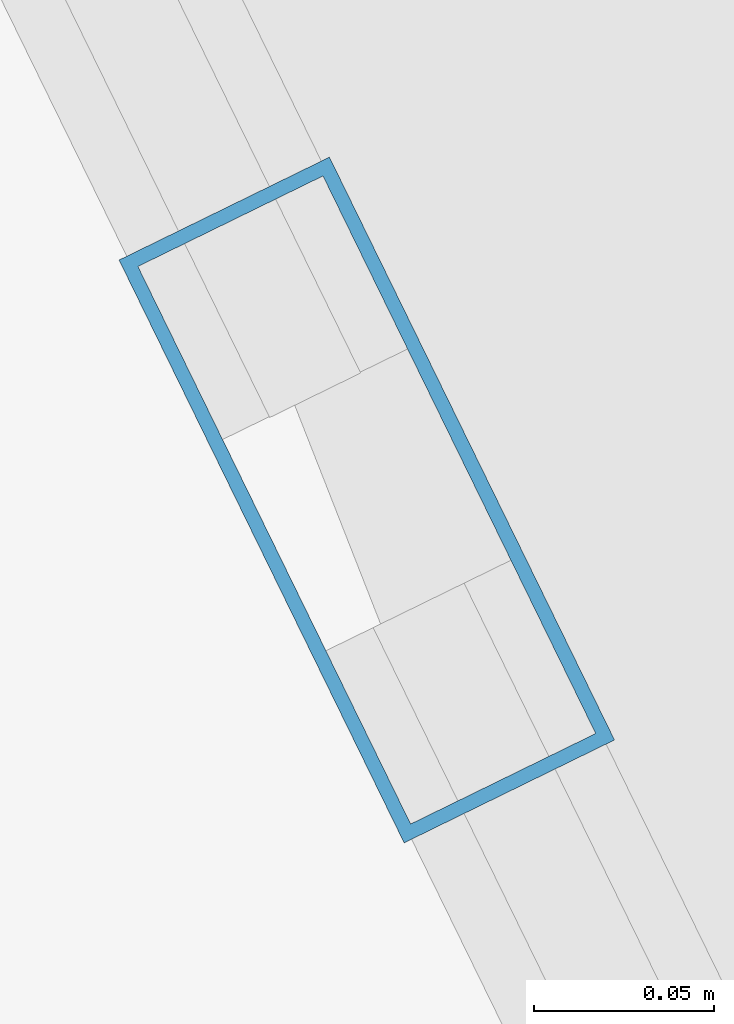
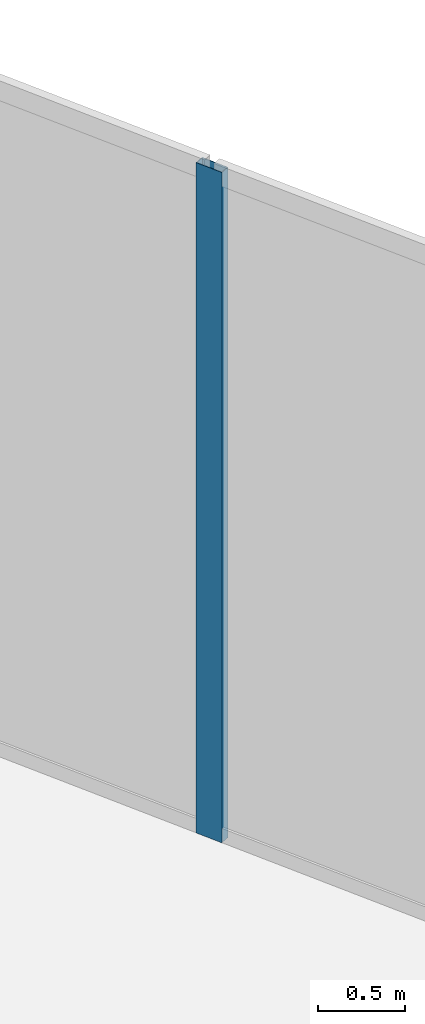
# One storey, part 16 of 33: 1 member, 1 element without a shape of its own.
"""IFC4 building model written with IfcOpenShell, lengths in metres."""

import ifcopenshell
import ifcopenshell.guid

model = None  # the IFC model being written
_history = None  # IfcOwnerHistory: only IFC2X3 demands one
_inside = {}  # id of a spatial element -> (the spatial element, [elements in it])
_under = {}  # id of a project, library or spatial element -> (it, [spatial elements below it])
_declared = {}  # id of a project -> (the project, [libraries it declares])
_typed = {}  # id of a type object -> (the type object, [elements of that type])
_made_of = {}  # id of a material, layer set ... -> (it, [elements and type objects made of it])


def new_model(schema):
    """Start an empty IFC model of exactly this schema.

    Asked for "IFC4X3", IfcOpenShell would pick the latest addendum, in which some entities
    have other attributes; the version numbers below select the first issue.
    IFC2X3 requires an IfcOwnerHistory on every rooted entity: one is made here for all.
    """
    global model, _history
    if schema == "IFC4X3":
        model = ifcopenshell.file(schema_version=(4, 3, 0, 0))
    else:
        model = ifcopenshell.file(schema=schema)
    _inside.clear()
    _under.clear()
    _declared.clear()
    _typed.clear()
    _made_of.clear()
    _history = None
    if model.schema == "IFC2X3":
        org = make("IfcOrganization", Name="unknown")
        user = make(
            "IfcPersonAndOrganization",
            ThePerson=make("IfcPerson", FamilyName="unknown"),
            TheOrganization=org,
        )
        app = make(
            "IfcApplication",
            ApplicationDeveloper=org,
            Version="unknown",
            ApplicationFullName="unknown",
            ApplicationIdentifier="unknown",
        )
        _history = make(
            "IfcOwnerHistory",
            OwningUser=user,
            OwningApplication=app,
            ChangeAction="ADDED",
            CreationDate=0,
        )
    return model


def make(cls, **values):
    """One entity of the class cls with the attributes given. An attribute that is None is left unset."""
    return model.create_entity(
        cls, **{name: value for name, value in values.items() if value is not None}
    )


def rooted(cls, **values):
    """An entity with a GlobalId (a new one), such as an element, a storey or a relation."""
    return make(cls, GlobalId=ifcopenshell.guid.new(), OwnerHistory=_history, **values)


def si_unit(unit_type, name, prefix=None):
    """IfcSIUnit, for example si_unit("LENGTHUNIT", "METRE", prefix="MILLI")."""
    return make("IfcSIUnit", UnitType=unit_type, Prefix=prefix, Name=name)


def assignment(units):
    """IfcUnitAssignment: the units of a project."""
    return None if units is None else make("IfcUnitAssignment", Units=units)


def point(xyz):
    """IfcCartesianPoint."""
    return None if xyz is None else make("IfcCartesianPoint", Coordinates=xyz)


def direction(xyz):
    """IfcDirection."""
    return None if xyz is None else make("IfcDirection", DirectionRatios=xyz)


def frame(location, z_axis=None, x_axis=None):
    """IfcAxis2Placement3D, a coordinate frame: its origin and axes. An axis left out is left unset."""
    return make(
        "IfcAxis2Placement3D",
        Location=point(location),
        Axis=direction(z_axis),
        RefDirection=direction(x_axis),
    )


def frame_2d(location, x_axis=None):
    """IfcAxis2Placement2D, a coordinate frame in the plane: its origin and x axis."""
    return make(
        "IfcAxis2Placement2D", Location=point(location), RefDirection=direction(x_axis)
    )


def origin():
    """The frame at (0, 0, 0) with its axes left unset."""
    return frame((0.0, 0.0, 0.0))


def origin_2d():
    """The frame at (0, 0) in the plane with its x axis left unset."""
    return frame_2d((0.0, 0.0))


def place(relative_to, where):
    """IfcLocalPlacement: puts the frame where relative to a parent placement (None: the world)."""
    return make(
        "IfcLocalPlacement", PlacementRelTo=relative_to, RelativePlacement=where
    )


def context(
    kind, dimensions, precision=None, world=None, true_north=None, identifier=None
):
    """IfcGeometricRepresentationContext, for example the 3D "Model" context."""
    return make(
        "IfcGeometricRepresentationContext",
        ContextIdentifier=identifier,
        ContextType=kind,
        CoordinateSpaceDimension=dimensions,
        Precision=precision,
        WorldCoordinateSystem=world,
        TrueNorth=true_north,
    )


def subcontext(parent, identifier, kind, view, scale=None):
    """IfcGeometricRepresentationSubContext, for example "Body" below "Model"."""
    return make(
        "IfcGeometricRepresentationSubContext",
        ContextIdentifier=identifier,
        ContextType=kind,
        ParentContext=parent,
        TargetScale=scale,
        TargetView=view,
    )


def project(units=None, contexts=None):
    """IfcProject with its units and contexts."""
    return rooted(
        "IfcProject",
        Name="project",
        RepresentationContexts=contexts,
        UnitsInContext=assignment(units),
    )


def spatial(cls, under=None, at=None, **own):
    """A site, building, storey or space (cls), placed at a placement, below another one or the project."""
    s = rooted(cls, ObjectPlacement=at, **own)
    if under is not None:
        _under.setdefault(under.id(), (under, []))[1].append(s)
    return s


def profile(cls, at=None, kind="AREA", **sizes):
    """A parametric profile (cls). Its sizes go by their IFC names, for example OverallWidth=200.0."""
    return make(cls, ProfileType=kind, Position=at, **sizes)


def hollow_rectangle(**sizes):
    """IfcRectangleHollowProfileDef."""
    return profile("IfcRectangleHollowProfileDef", **sizes)


def extrude(swept, where, along, depth):
    """IfcExtrudedAreaSolid: the profile swept, set in the frame where, extruded along a direction by depth."""
    return make(
        "IfcExtrudedAreaSolid",
        SweptArea=swept,
        Position=where,
        ExtrudedDirection=direction(along),
        Depth=depth,
    )


def shape(context_of_items, identifier, shape_type, items):
    """IfcShapeRepresentation: the items that make up one representation, for example the "Body"."""
    return make(
        "IfcShapeRepresentation",
        ContextOfItems=context_of_items,
        RepresentationIdentifier=identifier,
        RepresentationType=shape_type,
        Items=items,
    )


def source(mapping_origin, context_of_items, identifier, shape_type, items):
    """IfcRepresentationMap: a shape defined once, which mapped items show again and again."""
    return make(
        "IfcRepresentationMap",
        MappingOrigin=mapping_origin,
        MappedRepresentation=shape(context_of_items, identifier, shape_type, items),
    )


def transform(
    local_origin,
    x_axis=None,
    y_axis=None,
    z_axis=None,
    scale=None,
    scale2=None,
    scale3=None,
    uniform=True,
):
    """IfcCartesianTransformationOperator3D, or its non-uniform kind. x_axis, y_axis, z_axis: its Axis1, 2, 3."""
    if uniform:
        return make(
            "IfcCartesianTransformationOperator3D",
            Axis1=direction(x_axis),
            Axis2=direction(y_axis),
            LocalOrigin=point(local_origin),
            Scale=scale,
            Axis3=direction(z_axis),
        )
    return make(
        "IfcCartesianTransformationOperator3DnonUniform",
        Axis1=direction(x_axis),
        Axis2=direction(y_axis),
        LocalOrigin=point(local_origin),
        Scale=scale,
        Axis3=direction(z_axis),
        Scale2=scale2,
        Scale3=scale3,
    )


def mapped(mapping_source, mapping_target):
    """IfcMappedItem: shows the shape of a source again, moved by a transform."""
    return make(
        "IfcMappedItem", MappingSource=mapping_source, MappingTarget=mapping_target
    )


def material(Name=None, Category=None):
    """IfcMaterial."""
    return make("IfcMaterial", Name=Name, Category=Category)


def layer(
    of_material, thickness, ventilated=None, Name=None, Category=None, Priority=None
):
    """IfcMaterialLayer: one layer of a wall or slab, of a material (None: an air gap)."""
    return make(
        "IfcMaterialLayer",
        Material=of_material,
        LayerThickness=thickness,
        IsVentilated=ventilated,
        Name=Name,
        Category=Category,
        Priority=Priority,
    )


def layer_set(layers, Name=None):
    """IfcMaterialLayerSet."""
    return make("IfcMaterialLayerSet", MaterialLayers=layers, LayerSetName=Name)


def material_profile(
    of_material, cross_section, Name=None, Category=None, Priority=None
):
    """IfcMaterialProfile: a cross section and its material."""
    return make(
        "IfcMaterialProfile",
        Name=Name,
        Material=of_material,
        Profile=cross_section,
        Priority=Priority,
        Category=Category,
    )


def profile_set(profiles, Name=None, composite=None):
    """IfcMaterialProfileSet."""
    return make(
        "IfcMaterialProfileSet",
        Name=Name,
        MaterialProfiles=profiles,
        CompositeProfile=composite,
    )


def made_of(thing, what):
    """Note that an element or type object is made of a material, layer set ...; save() writes the relation."""
    if what is not None:
        _made_of.setdefault(what.id(), (what, []))[1].append(thing)
    return thing


def type_object(cls, material=None, **own):
    """A type object (cls), such as IfcWallType, which elements share."""
    return made_of(rooted(cls, **own), material)


def element(
    cls,
    number,
    at=None,
    inside=None,
    cuts=None,
    type_object=None,
    material=None,
    context=None,
    identifier="Body",
    shape_type=None,
    held_by="IfcProductDefinitionShape",
    body=None,
    shapes=None,
    **own,
):
    """One element of the class cls, such as IfcWall. Its Tag is "e" and its number.

    at: its placement. inside: the storey or other place that contains it. cuts: it is an
    opening in that element (IfcRelVoidsElement). A single representation is given by context,
    identifier, shape_type and body (its items); several are given by shapes. held_by: the class
    of the entity that holds the representations. save() writes the other relations.
    """
    e = rooted(cls, Tag="e%d" % number, ObjectPlacement=at, **own)
    if body is not None:
        shapes = [shape(context, identifier, shape_type, body)]
    if shapes is not None:
        e.Representation = make(held_by, Representations=shapes)
    if inside is not None:
        _inside.setdefault(inside.id(), (inside, []))[1].append(e)
    if cuts is not None:
        rooted(
            "IfcRelVoidsElement", RelatingBuildingElement=cuts, RelatedOpeningElement=e
        )
    if type_object is not None:
        _typed.setdefault(type_object.id(), (type_object, []))[1].append(e)
    return made_of(e, material)


def aggregate(whole, parts):
    """IfcRelAggregates: a whole, such as a stair, and the parts it consists of."""
    return rooted("IfcRelAggregates", RelatingObject=whole, RelatedObjects=parts)


def save(model, path):
    """Write the relations noted so far, then the file.

    IfcRelAggregates (storeys below a building ...), IfcRelContainedInSpatialStructure (elements
    in a storey), IfcRelDefinesByType, IfcRelAssociatesMaterial and IfcRelDeclares: one each for
    every whole, place, type object, material and project.
    """
    for whole, parts in _under.values():
        aggregate(whole, parts)
    for where, things in _inside.values():
        rooted(
            "IfcRelContainedInSpatialStructure",
            RelatedElements=things,
            RelatingStructure=where,
        )
    for kind, things in _typed.values():
        rooted("IfcRelDefinesByType", RelatedObjects=things, RelatingType=kind)
    for what, things in _made_of.values():
        rooted("IfcRelAssociatesMaterial", RelatedObjects=things, RelatingMaterial=what)
    for by, libraries in _declared.values():
        rooted("IfcRelDeclares", RelatingContext=by, RelatedDefinitions=libraries)
    model.write(path)


model = new_model("IFC4")

# Units and contexts
model_context = context("Model", 3, precision=1e-05, world=origin(), true_north=direction((0.0, 1.0)))
body_context = subcontext(model_context, "Body", "Model", "MODEL_VIEW")
ifc_project = project(units=[si_unit("LENGTHUNIT", "METRE"), si_unit("AREAUNIT", "SQUARE_METRE"), si_unit("VOLUMEUNIT", "CUBIC_METRE"), si_unit("PLANEANGLEUNIT", "RADIAN"), si_unit("MASSUNIT", "GRAM", prefix="KILO"), si_unit("THERMODYNAMICTEMPERATUREUNIT", "KELVIN"), si_unit("POWERUNIT", "WATT")], contexts=[model_context])

# Site, building, storey
site_placement = place(None, origin())
site = spatial("IfcSite", under=ifc_project, at=site_placement, CompositionType="ELEMENT")
building_placement = place(site_placement, origin())
building = spatial("IfcBuilding", under=site, at=building_placement, Name="Yunzhuo Pagoda Commons", CompositionType="ELEMENT")
storey_placement = place(building_placement, frame((0.0, 0.0, 391.760009765625)))
storey = spatial("IfcBuildingStorey", under=building, at=storey_placement, Name="L97", CompositionType="ELEMENT", Elevation=391.760009765625)

# Curtain wall, member
ifc_material = material(Name="Anodized aluminium 6063-T6", Category="aluminium")
ifc_layer = layer(ifc_material, 0.179931640625)
ifc_layer_set = layer_set([ifc_layer], Name="Anodized aluminium 6063-T6")
curtain_wall_type = type_object("IfcCurtainWallType", Name="CW-CRN Crown Gable Glazing System", PredefinedType="NOTDEFINED", material=ifc_layer_set)
curtain_wall_placement = place(storey_placement, origin())
curtain_wall = element("IfcCurtainWall", 1, at=curtain_wall_placement, inside=storey, type_object=curtain_wall_type, Name="L97 curtain wall CW-L97-CRNF2G1", PredefinedType="NOTDEFINED")
ifc_material_profile = material_profile(ifc_material, hollow_rectangle(XDim=0.06494140625, YDim=0.179931640625, WallThickness=0.00390625, at=origin_2d()), Name="Anodized aluminium 6063-T6")
ifc_profile_set = profile_set([ifc_material_profile], Name="Anodized aluminium 6063-T6")
member_type = type_object("IfcMemberType", Name="CW-CRN-M Mullion RHS 180x65x4", PredefinedType="MULLION", material=ifc_profile_set)
shared_shape = source(origin(), body_context, "Body", "SweptSolid", [
    extrude(hollow_rectangle(XDim=0.06494140625, YDim=0.179931640625, WallThickness=0.00390625, at=origin_2d()), origin(), (0.0, 0.0, 1.0), 4.72021484375),
])
member_placement = place(storey_placement, frame((69.42578125, 39.20263671875, 0.0), z_axis=(0.0, 0.0, 1.0), x_axis=(-0.898299261226, -0.439384156839, 0.0)))
member = element("IfcMember", 2, at=member_placement, type_object=member_type, Name="CW mullion 2", PredefinedType="MULLION", context=body_context, shape_type="MappedRepresentation", body=[
    mapped(shared_shape, transform((0.0, 0.0, 0.0), scale=1.0)),
])
aggregate(curtain_wall, [member])

save(model, "model.ifc")
